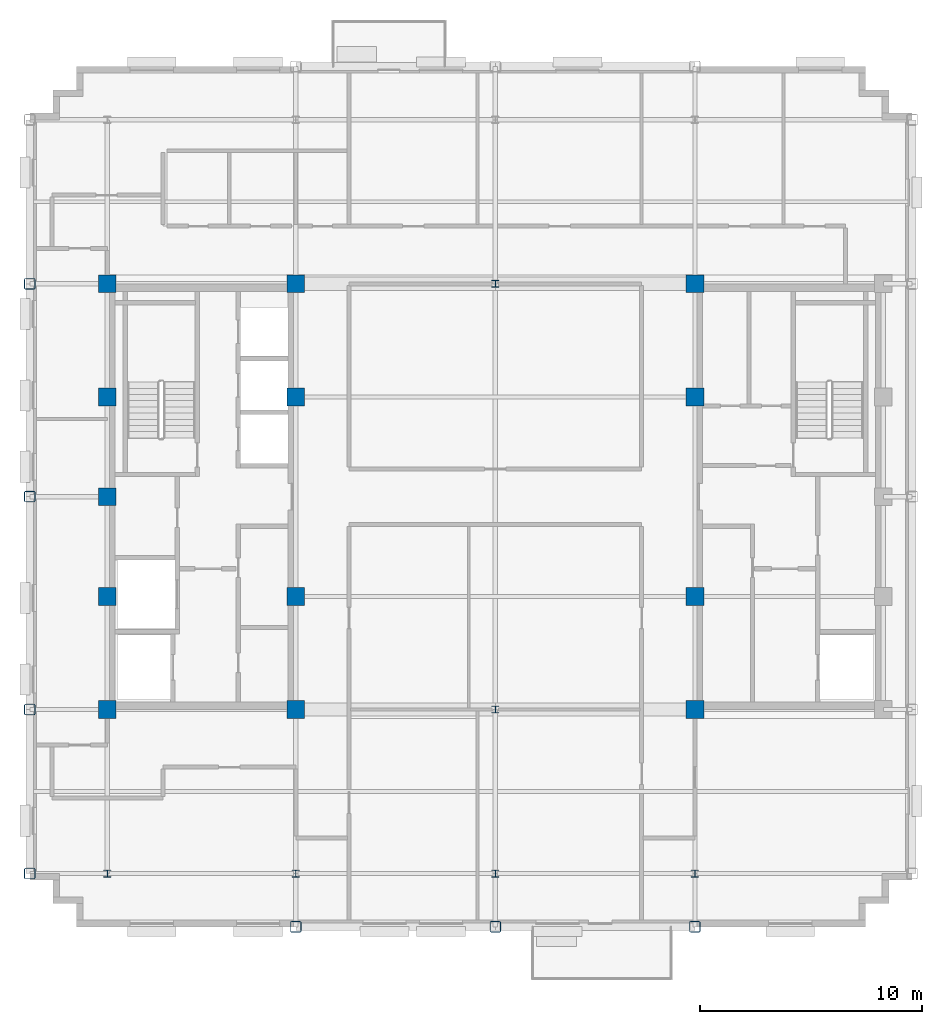
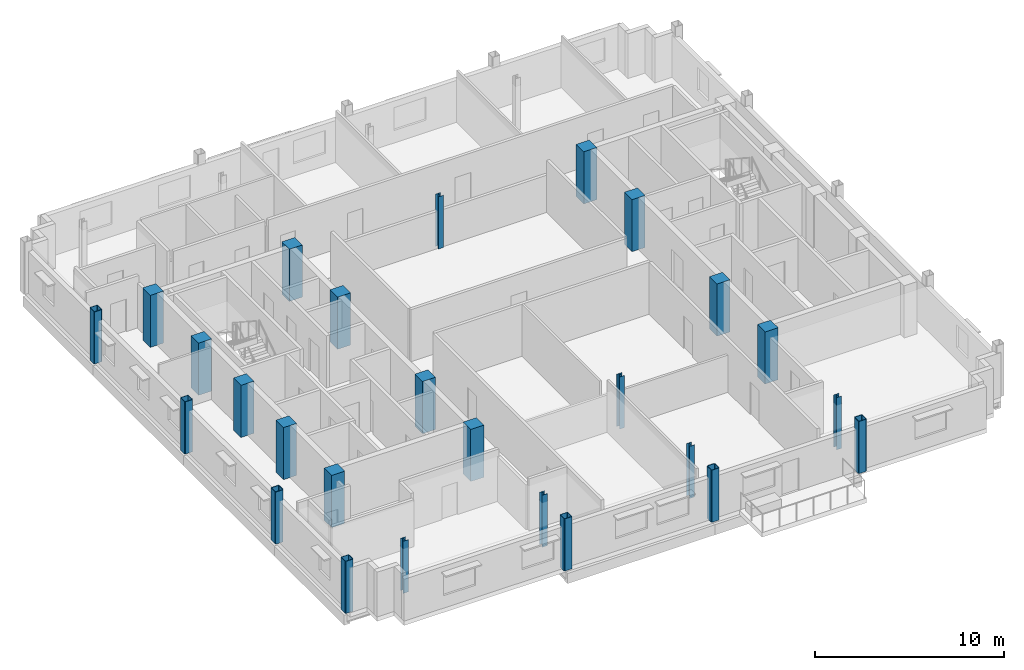
# One storey, part 1 of 13: 26 columns.
"""IFC4 building model written with IfcOpenShell, lengths in metres."""

from ifc_helpers import new_model, si_unit, direction, frame, origin, origin_2d, place, context, subcontext, project, spatial, rectangle, hollow_rectangle, i_section, extrude, material, material_profile, profile_set, type_object, element, save


model = new_model("IFC4")

# Units and contexts
model_context = context("Model", 3, precision=1e-05, world=origin(), true_north=direction((0.0, 1.0)))
body_context = subcontext(model_context, "Body", "Model", "MODEL_VIEW")
ifc_project = project(units=[si_unit("LENGTHUNIT", "METRE"), si_unit("AREAUNIT", "SQUARE_METRE"), si_unit("VOLUMEUNIT", "CUBIC_METRE"), si_unit("PLANEANGLEUNIT", "RADIAN"), si_unit("MASSUNIT", "GRAM", prefix="KILO")], contexts=[model_context])

# Site, building, storey
site_placement = place(None, origin())
site = spatial("IfcSite", under=ifc_project, at=site_placement, CompositionType="ELEMENT")
building_placement = place(site_placement, origin())
building = spatial("IfcBuilding", under=site, at=building_placement, Name="Nuvemarco Arch Tower", CompositionType="ELEMENT")
storey_placement = place(building_placement, frame((0.0, 0.0, 261.60009765625)))
storey = spatial("IfcBuildingStorey", under=building, at=storey_placement, Name="L69", CompositionType="ELEMENT", Elevation=261.60009765625)

# Columns
ifc_material_1 = material(Name="Concrete C50/60", Category="concrete")
ifc_material_profile_1 = material_profile(ifc_material_1, rectangle(XDim=0.800048828125, YDim=0.800048828125, at=origin_2d()), Name="RC-COL-800x800")
ifc_profile_set_1 = profile_set([ifc_material_profile_1], Name="Concrete C50/60")
column_type_1 = type_object("IfcColumnType", Name="COL-CORE-800", PredefinedType="COLUMN", material=ifc_profile_set_1)
for number, where, z_axis, x_axis, name in (
    (1, (-17.5, -9.60009765625, 0.0), (0.0, 0.0, 1.0), (1.0, 0.0, 0.0), "L69 column CC_-17.5_-9.6"),
    (2, (-17.5, -4.5, 0.0), (0.0, 0.0, 1.0), (1.0, 0.0, 0.0), "L69 column CC_-17.5_-4.5"),
    (3, (-17.5, 4.5, 0.0), (0.0, 0.0, 1.0), (1.0, 0.0, 0.0), "L69 column CC_-17.5_+4.5"),
    (4, (-17.5, 9.60009765625, 0.0), (0.0, 0.0, 1.0), (1.0, 0.0, 0.0), "L69 column CC_-17.5_+9.6"),
    (5, (-9.0, -9.60009765625, 0.0), (0.0, 0.0, 1.0), (1.0, 0.0, 0.0), "L69 column CC_-9.0_-9.6"),
    (6, (-9.0, -4.5, 0.0), (0.0, 0.0, 1.0), (1.0, 0.0, 0.0), "L69 column CC_-9.0_-4.5"),
    (7, (-9.0, 4.5, 0.0), (0.0, 0.0, 1.0), (1.0, 0.0, 0.0), "L69 column CC_-9.0_+4.5"),
    (8, (-9.0, 9.60009765625, 0.0), (0.0, 0.0, 1.0), (1.0, 0.0, 0.0), "L69 column CC_-9.0_+9.6"),
    (9, (9.0, -9.60009765625, 0.0), (0.0, 0.0, 1.0), (1.0, 0.0, 0.0), "L69 column CC_+9.0_-9.6"),
    (10, (9.0, -4.5, 0.0), (0.0, 0.0, 1.0), (1.0, 0.0, 0.0), "L69 column CC_+9.0_-4.5"),
    (11, (9.0, 4.5, 0.0), (0.0, 0.0, 1.0), (1.0, 0.0, 0.0), "L69 column CC_+9.0_+4.5"),
    (12, (9.0, 9.60009765625, 0.0), (0.0, 0.0, 1.0), (1.0, 0.0, 0.0), "L69 column CC_+9.0_+9.6"),
    (13, (-17.5, 0.0, 0.0), (0.0, 0.0, 1.0), (1.0, 0.0, 0.0), "L69 column CC_-17.5_+0.0"),
):
    element("IfcColumn", number, at=place(storey_placement, frame(where, z_axis=z_axis, x_axis=x_axis)), inside=storey, type_object=column_type_1, Name=name, PredefinedType="COLUMN", context=body_context, shape_type="SweptSolid", body=[
        extrude(rectangle(XDim=0.800048828125, YDim=0.800048828125, at=origin_2d()), origin(), (0.0, 0.0, 1.0), 3.369873046875),
    ])
ifc_material_2 = material(Name="Steel S355", Category="steel")
ifc_material_profile_2 = material_profile(ifc_material_2, hollow_rectangle(XDim=0.5, YDim=0.5, WallThickness=0.031982421875, InnerFilletRadius=0.031982421875, OuterFilletRadius=0.06396484375, at=origin_2d()), Name="SHS500x500x32")
ifc_profile_set_2 = profile_set([ifc_material_profile_2], Name="Steel S355")
column_type_2 = type_object("IfcColumnType", Name="COL-EXO-500", PredefinedType="COLUMN", material=ifc_profile_set_2)
for number, where, z_axis, x_axis, name in (
    (14, (-21.0, -17.0, 0.0), (0.0, 0.0, 1.0), (1.0, 0.0, 0.0), "L69 column CX_-21.0_-17.0"),
    (15, (-21.0, -9.60009765625, 0.0), (0.0, 0.0, 1.0), (1.0, 0.0, 0.0), "L69 column CX_-21.0_-9.6"),
    (16, (-21.0, 0.0, 0.0), (0.0, 0.0, 1.0), (1.0, 0.0, 0.0), "L69 column CX_-21.0_+0.0"),
    (17, (-21.0, 9.60009765625, 0.0), (0.0, 0.0, 1.0), (1.0, 0.0, 0.0), "L69 column CX_-21.0_+9.6"),
    (18, (-9.0, -19.39990234375, 0.0), (0.0, 0.0, 1.0), (1.0, 0.0, 0.0), "L69 column CY_-9.0_-19.4"),
    (19, (0.0, -19.39990234375, 0.0), (0.0, 0.0, 1.0), (1.0, 0.0, 0.0), "L69 column CY_+0.0_-19.4"),
    (20, (9.0, -19.39990234375, 0.0), (0.0, 0.0, 1.0), (1.0, 0.0, 0.0), "L69 column CY_+9.0_-19.4"),
):
    element("IfcColumn", number, at=place(storey_placement, frame(where, z_axis=z_axis, x_axis=x_axis)), inside=storey, type_object=column_type_2, Name=name, PredefinedType="COLUMN", context=body_context, shape_type="SweptSolid", body=[
        extrude(hollow_rectangle(XDim=0.5, YDim=0.5, WallThickness=0.031982421875, InnerFilletRadius=0.031982421875, OuterFilletRadius=0.06396484375, at=origin_2d()), origin(), (0.0, 0.0, 1.0), 3.369873046875),
    ])
ifc_material_profile_3 = material_profile(ifc_material_2, i_section(OverallWidth=0.31005859375, OverallDepth=0.31005859375, WebThickness=0.015380859375, FlangeThickness=0.015380859375, FilletRadius=0.014892578125, at=origin_2d()), Name="HP310x110")
ifc_profile_set_3 = profile_set([ifc_material_profile_3], Name="Steel S355")
column_type_3 = type_object("IfcColumnType", Name="COL-STL-HP310", PredefinedType="COLUMN", material=ifc_profile_set_3)
for number, where, z_axis, x_axis, name in (
    (21, (0.0, -17.0, 0.0), (0.0, 0.0, 1.0), (1.0, 0.0, 0.0), "L69 column CI_+0.0_-17.0"),
    (22, (0.0, -9.60009765625, 0.0), (0.0, 0.0, 1.0), (1.0, 0.0, 0.0), "L69 column CI_+0.0_-9.6"),
    (23, (0.0, 9.60009765625, 0.0), (0.0, 0.0, 1.0), (1.0, 0.0, 0.0), "L69 column CI_+0.0_+9.6"),
    (24, (-17.5, -17.0, 0.0), (0.0, 0.0, 1.0), (1.0, 0.0, 0.0), "L69 column CI_-17.5_-17.0"),
    (25, (-9.0, -17.0, 0.0), (0.0, 0.0, 1.0), (1.0, 0.0, 0.0), "L69 column CI_-9.0_-17.0"),
    (26, (9.0, -17.0, 0.0), (0.0, 0.0, 1.0), (1.0, 0.0, 0.0), "L69 column CI_+9.0_-17.0"),
):
    element("IfcColumn", number, at=place(storey_placement, frame(where, z_axis=z_axis, x_axis=x_axis)), inside=storey, type_object=column_type_3, Name=name, PredefinedType="COLUMN", context=body_context, shape_type="SweptSolid", body=[
        extrude(i_section(OverallWidth=0.31005859375, OverallDepth=0.31005859375, WebThickness=0.015380859375, FlangeThickness=0.015380859375, FilletRadius=0.014892578125, at=origin_2d()), origin(), (0.0, 0.0, 1.0), 3.369873046875),
    ])

save(model, "model.ifc")
